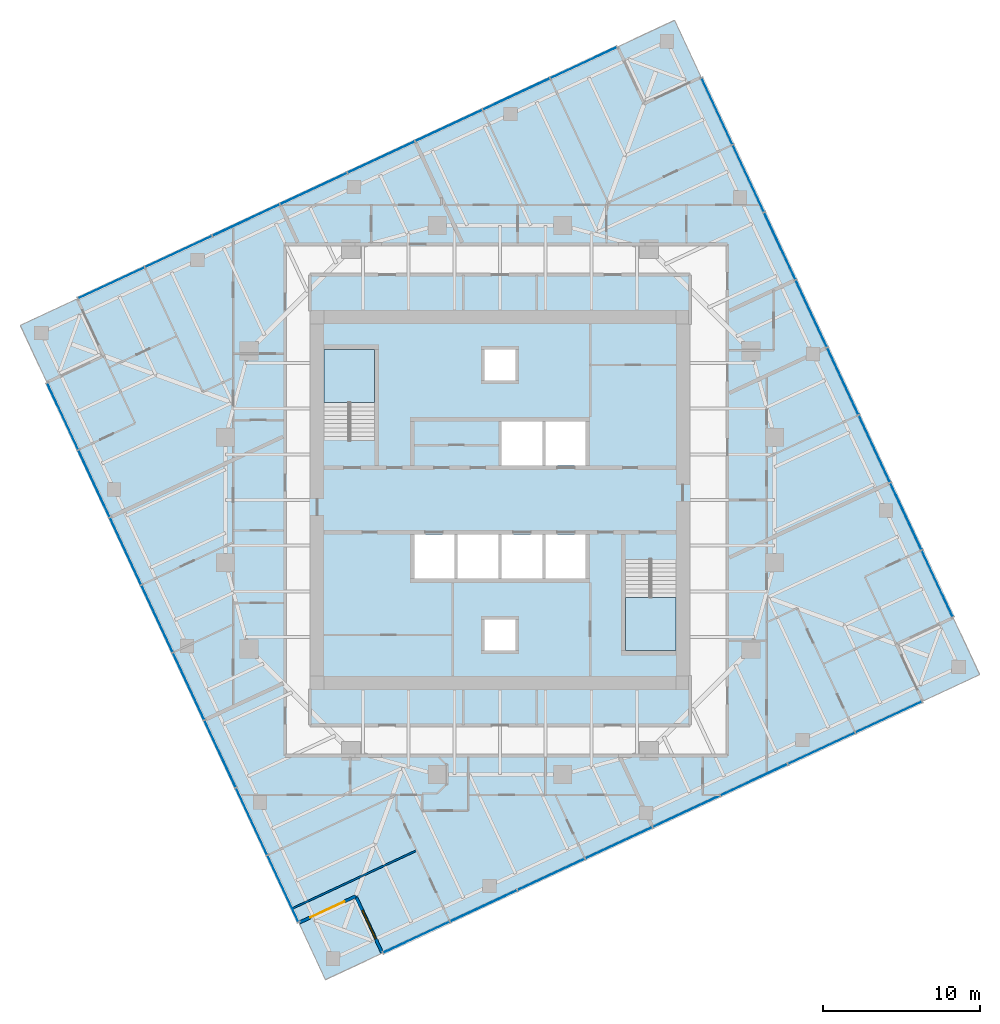
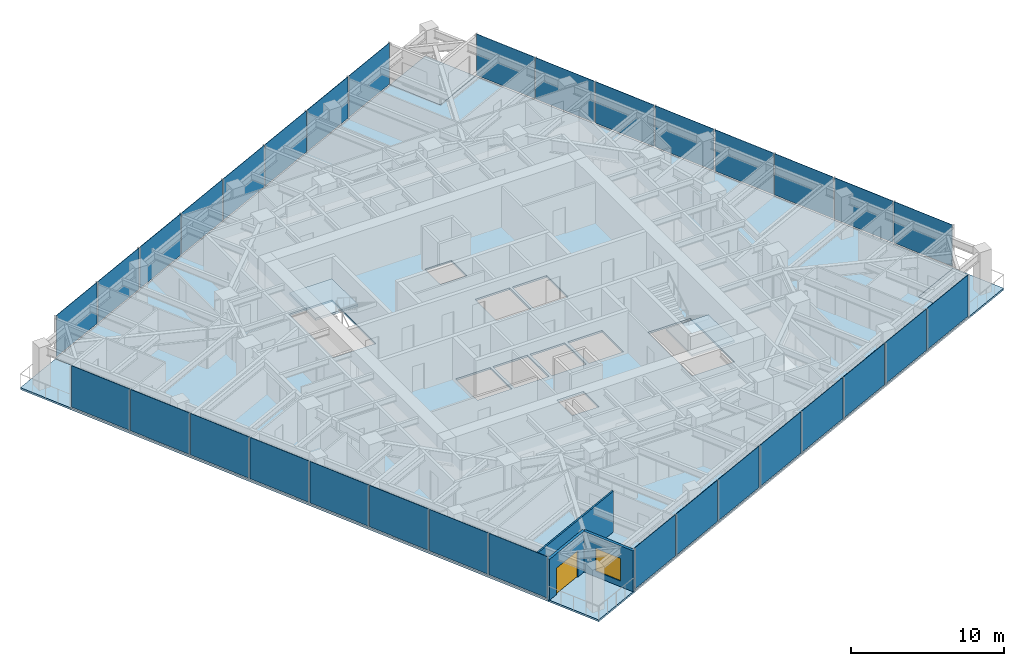
# One storey, part 6 of 13: 32 plates, 7 slabs, 3 walls, 1 door, 1 window, 2 openings, 6 elements without a shape of their own.
"""IFC4 building model written with IfcOpenShell, lengths in metres."""

from ifc_helpers import new_model, si_unit, direction, frame, frame_2d, origin, origin_2d, place, context, subcontext, project, spatial, polyline, rectangle, outline, extrude, material, layer, layer_set, type_object, element, fill, aggregate, save


model = new_model("IFC4")

# Units and contexts
model_context = context("Model", 3, precision=1e-05, world=origin(), true_north=direction((0.0, 1.0)))
body_context = subcontext(model_context, "Body", "Model", "MODEL_VIEW")
ifc_project = project(units=[si_unit("LENGTHUNIT", "METRE"), si_unit("AREAUNIT", "SQUARE_METRE"), si_unit("VOLUMEUNIT", "CUBIC_METRE"), si_unit("PLANEANGLEUNIT", "RADIAN"), si_unit("MASSUNIT", "GRAM", prefix="KILO")], contexts=[model_context])

# Site, building, storey
site_placement = place(None, origin())
site = spatial("IfcSite", under=ifc_project, at=site_placement, CompositionType="ELEMENT")
building_placement = place(site_placement, origin())
building = spatial("IfcBuilding", under=site, at=building_placement, Name="Torsade Residences", CompositionType="ELEMENT")
storey_placement = place(building_placement, frame((0.0, 0.0, 182.800048828125)))
storey = spatial("IfcBuildingStorey", under=building, at=storey_placement, Name="L50", CompositionType="ELEMENT", Elevation=182.800048828125)

# Slab
ifc_material_1 = material(Name="Concrete 40 MPa", Category="concrete")
ifc_layer_1 = layer(ifc_material_1, 0.14990234375)
ifc_layer_set_1 = layer_set([ifc_layer_1], Name="Concrete 40 MPa")
slab_type_1 = type_object("IfcSlabType", Name="COMPOSITE FLOOR SLAB 150", PredefinedType="FLOOR", material=ifc_layer_set_1)
slab_1_placement = place(storey_placement, frame((0.0, 0.0, -0.150146484375)))
element("IfcSlab", 1, at=slab_1_placement, inside=storey, type_object=slab_type_1, Name="Floor slab L50", PredefinedType="FLOOR", context=body_context, shape_type="SweptSolid", body=[
    extrude(outline(polyline([(32.50048828125, 1.125244140625), (66.940185546875, 17.1845703125), (65.24951171875, 20.809814453125), (68.874755859375, 22.50048828125), (52.8154296875, 56.940185546875), (49.190185546875, 55.24951171875), (47.49951171875, 58.874755859375), (13.059814453125, 42.8154296875), (14.75048828125, 39.190185546875), (11.125244140625, 37.49951171875), (27.1845703125, 3.059814453125), (30.809814453125, 4.75048828125), (32.50048828125, 1.125244140625)]), holes=[polyline([(51.199951171875, 26.1201171875), (48.0, 26.1201171875), (48.0, 20.39990234375), (51.199951171875, 20.39990234375), (51.199951171875, 26.1201171875)]), polyline([(45.5, 27.800048828125), (42.89990234375, 27.800048828125), (42.89990234375, 25.0), (45.5, 25.0), (45.5, 27.800048828125)]), polyline([(45.5, 35.0), (42.89990234375, 35.0), (42.89990234375, 32.199951171875), (45.5, 32.199951171875), (45.5, 35.0)]), polyline([(42.699951171875, 25.0), (42.699951171875, 27.800048828125), (40.10009765625, 27.800048828125), (40.10009765625, 25.0), (42.699951171875, 25.0)]), polyline([(42.699951171875, 35.0), (40.10009765625, 35.0), (40.10009765625, 32.199951171875), (42.699951171875, 32.199951171875), (42.699951171875, 35.0)]), polyline([(41.0, 22.39990234375), (39.0, 22.39990234375), (39.0, 20.39990234375), (41.0, 20.39990234375), (41.0, 22.39990234375)]), polyline([(41.0, 37.60009765625), (41.0, 39.60009765625), (39.0, 39.60009765625), (39.0, 37.60009765625), (41.0, 37.60009765625)]), polyline([(39.89990234375, 25.0), (39.89990234375, 27.800048828125), (37.300048828125, 27.800048828125), (37.300048828125, 25.0), (39.89990234375, 25.0)]), polyline([(37.10009765625, 27.800048828125), (34.5, 27.800048828125), (34.5, 25.0), (37.10009765625, 25.0), (37.10009765625, 27.800048828125)]), polyline([(32.0, 33.8798828125), (32.0, 39.60009765625), (28.800048828125, 39.60009765625), (28.800048828125, 33.8798828125), (32.0, 33.8798828125)])]), origin(), (0.0, 0.0, 1.0), 0.150146484375),
])

# Curtain wall, plates
ifc_material_2 = material(Name="Aluminium and glass", Category="aluminium")
curtain_wall_type = type_object("IfcCurtainWallType", Name="FRITTED GLASS CURTAIN WALL MID ZONE", PredefinedType="NOTDEFINED", material=ifc_material_2)
curtain_wall_1_placement = place(storey_placement, origin())
curtain_wall_1 = element("IfcCurtainWall", 2, at=curtain_wall_1_placement, inside=storey, type_object=curtain_wall_type, Name="Curtain wall L50 face 1", PredefinedType="NOTDEFINED")
ifc_material_3 = material(Name="Laminated glass", Category="glass")
ifc_layer_2 = layer(ifc_material_3, 0.031982421875)
ifc_layer_set_2 = layer_set([ifc_layer_2], Name="Laminated glass")
plate_type_1 = type_object("IfcPlateType", Name="FRITTED GLASS PANEL", PredefinedType="CURTAIN_PANEL", material=ifc_layer_set_2)
plate_1_placement = place(storey_placement, frame((34.6708984375, 2.137451171875, 0.10986328125), z_axis=(0.0, 0.0, 1.0), x_axis=(0.906307786926, 0.422618261978, 0.0)))
plate_1 = element("IfcPlate", 3, at=plate_1_placement, type_object=plate_type_1, Name="Panel 1", PredefinedType="CURTAIN_PANEL", context=body_context, shape_type="SweptSolid", body=[
    extrude(rectangle(XDim=4.6298828125, YDim=0.031982421875, at=origin_2d()), origin(), (0.0, 0.0, 1.0), 3.2900390625),
])
plate_2_placement = place(storey_placement, frame((43.2626953125, 6.143798828125, 0.10986328125), z_axis=(0.0, 0.0, 1.0), x_axis=(0.906307786926, 0.422618261978, 0.0)))
plate_2 = element("IfcPlate", 4, at=plate_2_placement, type_object=plate_type_1, Name="Panel 3", PredefinedType="CURTAIN_PANEL", context=body_context, shape_type="SweptSolid", body=[
    extrude(rectangle(XDim=4.669921875, YDim=0.031982421875, at=origin_2d()), origin(), (0.0, 0.0, 1.0), 3.2900390625),
])
plate_3_placement = place(storey_placement, frame((47.567626953125, 8.151123046875, 0.10986328125), z_axis=(0.0, 0.0, 1.0), x_axis=(0.906307786926, 0.422618261978, 0.0)))
plate_3 = element("IfcPlate", 5, at=plate_3_placement, type_object=plate_type_1, Name="Panel 4", PredefinedType="CURTAIN_PANEL", context=body_context, shape_type="SweptSolid", body=[
    extrude(rectangle(XDim=4.669921875, YDim=0.031982421875, at=origin_2d()), origin(), (0.0, 0.0, 1.0), 3.2900390625),
])
plate_4_placement = place(storey_placement, frame((51.872802734375, 10.15869140625, 0.10986328125), z_axis=(0.0, 0.0, 1.0), x_axis=(0.906307786926, 0.422618261978, 0.0)))
plate_4 = element("IfcPlate", 6, at=plate_4_placement, type_object=plate_type_1, Name="Panel 5", PredefinedType="CURTAIN_PANEL", context=body_context, shape_type="SweptSolid", body=[
    extrude(rectangle(XDim=4.669921875, YDim=0.031982421875, at=origin_2d()), origin(), (0.0, 0.0, 1.0), 3.2900390625),
])
plate_5_placement = place(storey_placement, frame((60.482666015625, 14.173583984375, 0.10986328125), z_axis=(0.0, 0.0, 1.0), x_axis=(0.906307786926, 0.422618261978, 0.0)))
plate_5 = element("IfcPlate", 7, at=plate_5_placement, type_object=plate_type_1, Name="Panel 7", PredefinedType="CURTAIN_PANEL", context=body_context, shape_type="SweptSolid", body=[
    extrude(rectangle(XDim=4.669921875, YDim=0.031982421875, at=origin_2d()), origin(), (0.0, 0.0, 1.0), 3.2900390625),
])
plate_6_placement = place(storey_placement, frame((64.76953125, 16.172607421875, 0.10986328125), z_axis=(0.0, 0.0, 1.0), x_axis=(0.906307786926, 0.422618261978, 0.0)))
plate_6 = element("IfcPlate", 8, at=plate_6_placement, type_object=plate_type_1, Name="Panel 8", PredefinedType="CURTAIN_PANEL", context=body_context, shape_type="SweptSolid", body=[
    extrude(rectangle(XDim=4.6298828125, YDim=0.031982421875, at=origin_2d()), origin(), (0.0, 0.0, 1.0), 3.2900390625),
])

curtain_wall_2_placement = place(storey_placement, origin())
curtain_wall_2 = element("IfcCurtainWall", 9, at=curtain_wall_2_placement, inside=storey, type_object=curtain_wall_type, Name="Curtain wall L50 face 4", PredefinedType="NOTDEFINED")
plate_7_placement = place(storey_placement, frame((67.862548828125, 24.6708984375, 0.10986328125), z_axis=(0.0, 0.0, 1.0), x_axis=(-0.422618261978, 0.906307786926, 0.0)))
plate_7 = element("IfcPlate", 10, at=plate_7_placement, type_object=plate_type_1, Name="Panel 1", PredefinedType="CURTAIN_PANEL", context=body_context, shape_type="SweptSolid", body=[
    extrude(rectangle(XDim=4.6298828125, YDim=0.031982421875, at=origin_2d()), origin(), (0.0, 0.0, 1.0), 3.2900390625),
])
plate_8_placement = place(storey_placement, frame((63.856201171875, 33.2626953125, 0.10986328125), z_axis=(0.0, 0.0, 1.0), x_axis=(-0.422618261978, 0.906307786926, 0.0)))
plate_8 = element("IfcPlate", 11, at=plate_8_placement, type_object=plate_type_1, Name="Panel 3", PredefinedType="CURTAIN_PANEL", context=body_context, shape_type="SweptSolid", body=[
    extrude(rectangle(XDim=4.669921875, YDim=0.031982421875, at=origin_2d()), origin(), (0.0, 0.0, 1.0), 3.2900390625),
])
plate_9_placement = place(storey_placement, frame((61.848876953125, 37.567626953125, 0.10986328125), z_axis=(0.0, 0.0, 1.0), x_axis=(-0.422618261978, 0.906307786926, 0.0)))
plate_9 = element("IfcPlate", 12, at=plate_9_placement, type_object=plate_type_1, Name="Panel 4", PredefinedType="CURTAIN_PANEL", context=body_context, shape_type="SweptSolid", body=[
    extrude(rectangle(XDim=4.669921875, YDim=0.031982421875, at=origin_2d()), origin(), (0.0, 0.0, 1.0), 3.2900390625),
])
plate_10_placement = place(storey_placement, frame((59.84130859375, 41.872802734375, 0.10986328125), z_axis=(0.0, 0.0, 1.0), x_axis=(-0.422618261978, 0.906307786926, 0.0)))
plate_10 = element("IfcPlate", 13, at=plate_10_placement, type_object=plate_type_1, Name="Panel 5", PredefinedType="CURTAIN_PANEL", context=body_context, shape_type="SweptSolid", body=[
    extrude(rectangle(XDim=4.669921875, YDim=0.031982421875, at=origin_2d()), origin(), (0.0, 0.0, 1.0), 3.2900390625),
])
plate_11_placement = place(storey_placement, frame((55.826416015625, 50.482666015625, 0.10986328125), z_axis=(0.0, 0.0, 1.0), x_axis=(-0.422618261978, 0.906307786926, 0.0)))
plate_11 = element("IfcPlate", 14, at=plate_11_placement, type_object=plate_type_1, Name="Panel 7", PredefinedType="CURTAIN_PANEL", context=body_context, shape_type="SweptSolid", body=[
    extrude(rectangle(XDim=4.669921875, YDim=0.031982421875, at=origin_2d()), origin(), (0.0, 0.0, 1.0), 3.2900390625),
])
plate_12_placement = place(storey_placement, frame((53.827392578125, 54.76953125, 0.10986328125), z_axis=(0.0, 0.0, 1.0), x_axis=(-0.422618261978, 0.906307786926, 0.0)))
plate_12 = element("IfcPlate", 15, at=plate_12_placement, type_object=plate_type_1, Name="Panel 8", PredefinedType="CURTAIN_PANEL", context=body_context, shape_type="SweptSolid", body=[
    extrude(rectangle(XDim=4.6298828125, YDim=0.031982421875, at=origin_2d()), origin(), (0.0, 0.0, 1.0), 3.2900390625),
])

curtain_wall_3_placement = place(storey_placement, origin())
curtain_wall_3 = element("IfcCurtainWall", 16, at=curtain_wall_3_placement, inside=storey, type_object=curtain_wall_type, Name="Curtain wall L50 face 7", PredefinedType="NOTDEFINED")
plate_13_placement = place(storey_placement, frame((45.3291015625, 57.862548828125, 0.10986328125), z_axis=(0.0, 0.0, 1.0), x_axis=(-0.906307786926, -0.422618261978, 0.0)))
plate_13 = element("IfcPlate", 17, at=plate_13_placement, type_object=plate_type_1, Name="Panel 1", PredefinedType="CURTAIN_PANEL", context=body_context, shape_type="SweptSolid", body=[
    extrude(rectangle(XDim=4.6298828125, YDim=0.031982421875, at=origin_2d()), origin(), (0.0, 0.0, 1.0), 3.2900390625),
])
plate_14_placement = place(storey_placement, frame((36.7373046875, 53.856201171875, 0.10986328125), z_axis=(0.0, 0.0, 1.0), x_axis=(-0.906307786926, -0.422618261978, 0.0)))
plate_14 = element("IfcPlate", 18, at=plate_14_placement, type_object=plate_type_1, Name="Panel 3", PredefinedType="CURTAIN_PANEL", context=body_context, shape_type="SweptSolid", body=[
    extrude(rectangle(XDim=4.669921875, YDim=0.031982421875, at=origin_2d()), origin(), (0.0, 0.0, 1.0), 3.2900390625),
])
plate_15_placement = place(storey_placement, frame((32.432373046875, 51.848876953125, 0.10986328125), z_axis=(0.0, 0.0, 1.0), x_axis=(-0.906307786926, -0.422618261978, 0.0)))
plate_15 = element("IfcPlate", 19, at=plate_15_placement, type_object=plate_type_1, Name="Panel 4", PredefinedType="CURTAIN_PANEL", context=body_context, shape_type="SweptSolid", body=[
    extrude(rectangle(XDim=4.669921875, YDim=0.031982421875, at=origin_2d()), origin(), (0.0, 0.0, 1.0), 3.2900390625),
])
plate_16_placement = place(storey_placement, frame((28.127197265625, 49.84130859375, 0.10986328125), z_axis=(0.0, 0.0, 1.0), x_axis=(-0.906307786926, -0.422618261978, 0.0)))
plate_16 = element("IfcPlate", 20, at=plate_16_placement, type_object=plate_type_1, Name="Panel 5", PredefinedType="CURTAIN_PANEL", context=body_context, shape_type="SweptSolid", body=[
    extrude(rectangle(XDim=4.669921875, YDim=0.031982421875, at=origin_2d()), origin(), (0.0, 0.0, 1.0), 3.2900390625),
])
plate_17_placement = place(storey_placement, frame((19.517333984375, 45.826416015625, 0.10986328125), z_axis=(0.0, 0.0, 1.0), x_axis=(-0.906307786926, -0.422618261978, 0.0)))
plate_17 = element("IfcPlate", 21, at=plate_17_placement, type_object=plate_type_1, Name="Panel 7", PredefinedType="CURTAIN_PANEL", context=body_context, shape_type="SweptSolid", body=[
    extrude(rectangle(XDim=4.669921875, YDim=0.031982421875, at=origin_2d()), origin(), (0.0, 0.0, 1.0), 3.2900390625),
])
plate_18_placement = place(storey_placement, frame((15.23046875, 43.827392578125, 0.10986328125), z_axis=(0.0, 0.0, 1.0), x_axis=(-0.906307786926, -0.422618261978, 0.0)))
plate_18 = element("IfcPlate", 22, at=plate_18_placement, type_object=plate_type_1, Name="Panel 8", PredefinedType="CURTAIN_PANEL", context=body_context, shape_type="SweptSolid", body=[
    extrude(rectangle(XDim=4.6298828125, YDim=0.031982421875, at=origin_2d()), origin(), (0.0, 0.0, 1.0), 3.2900390625),
])

curtain_wall_4_placement = place(storey_placement, origin())
curtain_wall_4 = element("IfcCurtainWall", 23, at=curtain_wall_4_placement, inside=storey, type_object=curtain_wall_type, Name="Curtain wall L50 face 10", PredefinedType="NOTDEFINED")
plate_19_placement = place(storey_placement, frame((12.137451171875, 35.3291015625, 0.10986328125), z_axis=(0.0, 0.0, 1.0), x_axis=(0.422618261978, -0.906307786926, 0.0)))
plate_19 = element("IfcPlate", 24, at=plate_19_placement, type_object=plate_type_1, Name="Panel 1", PredefinedType="CURTAIN_PANEL", context=body_context, shape_type="SweptSolid", body=[
    extrude(rectangle(XDim=4.6298828125, YDim=0.031982421875, at=origin_2d()), origin(), (0.0, 0.0, 1.0), 3.2900390625),
])
plate_20_placement = place(storey_placement, frame((16.143798828125, 26.7373046875, 0.10986328125), z_axis=(0.0, 0.0, 1.0), x_axis=(0.422618261978, -0.906307786926, 0.0)))
plate_20 = element("IfcPlate", 25, at=plate_20_placement, type_object=plate_type_1, Name="Panel 3", PredefinedType="CURTAIN_PANEL", context=body_context, shape_type="SweptSolid", body=[
    extrude(rectangle(XDim=4.669921875, YDim=0.031982421875, at=origin_2d()), origin(), (0.0, 0.0, 1.0), 3.2900390625),
])
plate_21_placement = place(storey_placement, frame((18.151123046875, 22.432373046875, 0.10986328125), z_axis=(0.0, 0.0, 1.0), x_axis=(0.422618261978, -0.906307786926, 0.0)))
plate_21 = element("IfcPlate", 26, at=plate_21_placement, type_object=plate_type_1, Name="Panel 4", PredefinedType="CURTAIN_PANEL", context=body_context, shape_type="SweptSolid", body=[
    extrude(rectangle(XDim=4.669921875, YDim=0.031982421875, at=origin_2d()), origin(), (0.0, 0.0, 1.0), 3.2900390625),
])
plate_22_placement = place(storey_placement, frame((20.15869140625, 18.127197265625, 0.10986328125), z_axis=(0.0, 0.0, 1.0), x_axis=(0.422618261978, -0.906307786926, 0.0)))
plate_22 = element("IfcPlate", 27, at=plate_22_placement, type_object=plate_type_1, Name="Panel 5", PredefinedType="CURTAIN_PANEL", context=body_context, shape_type="SweptSolid", body=[
    extrude(rectangle(XDim=4.669921875, YDim=0.031982421875, at=origin_2d()), origin(), (0.0, 0.0, 1.0), 3.2900390625),
])
plate_23_placement = place(storey_placement, frame((24.173583984375, 9.517333984375, 0.10986328125), z_axis=(0.0, 0.0, 1.0), x_axis=(0.422618261978, -0.906307786926, 0.0)))
plate_23 = element("IfcPlate", 28, at=plate_23_placement, type_object=plate_type_1, Name="Panel 7", PredefinedType="CURTAIN_PANEL", context=body_context, shape_type="SweptSolid", body=[
    extrude(rectangle(XDim=4.669921875, YDim=0.031982421875, at=origin_2d()), origin(), (0.0, 0.0, 1.0), 3.2900390625),
])
plate_24_placement = place(storey_placement, frame((26.172607421875, 5.23046875, 0.10986328125), z_axis=(0.0, 0.0, 1.0), x_axis=(0.422618261978, -0.906307786926, 0.0)))
plate_24 = element("IfcPlate", 29, at=plate_24_placement, type_object=plate_type_1, Name="Panel 8", PredefinedType="CURTAIN_PANEL", context=body_context, shape_type="SweptSolid", body=[
    extrude(rectangle(XDim=4.6298828125, YDim=0.031982421875, at=origin_2d()), origin(), (0.0, 0.0, 1.0), 3.2900390625),
])

# Plate
ifc_material_4 = material(Name="Laminated glass", Category="glass")
ifc_layer_3 = layer(ifc_material_4, 0.0400390625)
ifc_layer_set_3 = layer_set([ifc_layer_3], Name="Laminated glass")
plate_type_2 = type_object("IfcPlateType", Name="OPERABLE VENT PANEL", PredefinedType="CURTAIN_PANEL", material=ifc_layer_set_3)
plate_25_placement = place(storey_placement, frame((38.957763671875, 4.13623046875, 0.10986328125), z_axis=(0.0, 0.0, 1.0), x_axis=(0.906307786926, 0.422618261978, 0.0)))
plate_25 = element("IfcPlate", 30, at=plate_25_placement, type_object=plate_type_2, Name="Panel 2", PredefinedType="CURTAIN_PANEL", context=body_context, shape_type="SweptSolid", body=[
    extrude(rectangle(XDim=4.669921875, YDim=0.0400390625, at=origin_2d()), origin(), (0.0, 0.0, 1.0), 3.2900390625),
])

plate_26_placement = place(storey_placement, frame((56.177734375, 12.166015625, 0.10986328125), z_axis=(0.0, 0.0, 1.0), x_axis=(0.906307786926, 0.422618261978, 0.0)))
plate_26 = element("IfcPlate", 31, at=plate_26_placement, type_object=plate_type_2, Name="Panel 6", PredefinedType="CURTAIN_PANEL", context=body_context, shape_type="SweptSolid", body=[
    extrude(rectangle(XDim=4.669921875, YDim=0.0400390625, at=origin_2d()), origin(), (0.0, 0.0, 1.0), 3.2900390625),
])

aggregate(curtain_wall_1, [plate_1, plate_25, plate_2, plate_3, plate_4, plate_26, plate_5, plate_6])

plate_27_placement = place(storey_placement, frame((65.86376953125, 28.957763671875, 0.10986328125), z_axis=(0.0, 0.0, 1.0), x_axis=(-0.422618261978, 0.906307786926, 0.0)))
plate_27 = element("IfcPlate", 32, at=plate_27_placement, type_object=plate_type_2, Name="Panel 2", PredefinedType="CURTAIN_PANEL", context=body_context, shape_type="SweptSolid", body=[
    extrude(rectangle(XDim=4.669921875, YDim=0.0400390625, at=origin_2d()), origin(), (0.0, 0.0, 1.0), 3.2900390625),
])

plate_28_placement = place(storey_placement, frame((57.833984375, 46.177734375, 0.10986328125), z_axis=(0.0, 0.0, 1.0), x_axis=(-0.422618261978, 0.906307786926, 0.0)))
plate_28 = element("IfcPlate", 33, at=plate_28_placement, type_object=plate_type_2, Name="Panel 6", PredefinedType="CURTAIN_PANEL", context=body_context, shape_type="SweptSolid", body=[
    extrude(rectangle(XDim=4.669921875, YDim=0.0400390625, at=origin_2d()), origin(), (0.0, 0.0, 1.0), 3.2900390625),
])

aggregate(curtain_wall_2, [plate_7, plate_27, plate_8, plate_9, plate_10, plate_28, plate_11, plate_12])

plate_29_placement = place(storey_placement, frame((41.042236328125, 55.86376953125, 0.10986328125), z_axis=(0.0, 0.0, 1.0), x_axis=(-0.906307786926, -0.422618261978, 0.0)))
plate_29 = element("IfcPlate", 34, at=plate_29_placement, type_object=plate_type_2, Name="Panel 2", PredefinedType="CURTAIN_PANEL", context=body_context, shape_type="SweptSolid", body=[
    extrude(rectangle(XDim=4.669921875, YDim=0.0400390625, at=origin_2d()), origin(), (0.0, 0.0, 1.0), 3.2900390625),
])

plate_30_placement = place(storey_placement, frame((23.822265625, 47.833984375, 0.10986328125), z_axis=(0.0, 0.0, 1.0), x_axis=(-0.906307786926, -0.422618261978, 0.0)))
plate_30 = element("IfcPlate", 35, at=plate_30_placement, type_object=plate_type_2, Name="Panel 6", PredefinedType="CURTAIN_PANEL", context=body_context, shape_type="SweptSolid", body=[
    extrude(rectangle(XDim=4.669921875, YDim=0.0400390625, at=origin_2d()), origin(), (0.0, 0.0, 1.0), 3.2900390625),
])

aggregate(curtain_wall_3, [plate_13, plate_29, plate_14, plate_15, plate_16, plate_30, plate_17, plate_18])

plate_31_placement = place(storey_placement, frame((14.13623046875, 31.042236328125, 0.10986328125), z_axis=(0.0, 0.0, 1.0), x_axis=(0.422618261978, -0.906307786926, 0.0)))
plate_31 = element("IfcPlate", 36, at=plate_31_placement, type_object=plate_type_2, Name="Panel 2", PredefinedType="CURTAIN_PANEL", context=body_context, shape_type="SweptSolid", body=[
    extrude(rectangle(XDim=4.669921875, YDim=0.0400390625, at=origin_2d()), origin(), (0.0, 0.0, 1.0), 3.2900390625),
])

plate_32_placement = place(storey_placement, frame((22.166015625, 13.822265625, 0.10986328125), z_axis=(0.0, 0.0, 1.0), x_axis=(0.422618261978, -0.906307786926, 0.0)))
plate_32 = element("IfcPlate", 37, at=plate_32_placement, type_object=plate_type_2, Name="Panel 6", PredefinedType="CURTAIN_PANEL", context=body_context, shape_type="SweptSolid", body=[
    extrude(rectangle(XDim=4.669921875, YDim=0.0400390625, at=origin_2d()), origin(), (0.0, 0.0, 1.0), 3.2900390625),
])

aggregate(curtain_wall_4, [plate_19, plate_31, plate_20, plate_21, plate_22, plate_32, plate_23, plate_24])

# Stair, slab
ifc_material_5 = material(Name="Precast concrete 40 MPa", Category="concrete")
stair_type = type_object("IfcStairType", Name="HALF-TURN FIRE STAIR 1500x3400", PredefinedType="HALF_TURN_STAIR", material=ifc_material_5)
stair_1_placement = place(storey_placement, origin())
stair_1 = element("IfcStair", 38, at=stair_1_placement, inside=storey, type_object=stair_type, Name="Stair ST1 L50", PredefinedType="HALF_TURN_STAIR")
ifc_material_6 = material(Name="Precast concrete 40 MPa", Category="concrete")
ifc_layer_4 = layer(ifc_material_6, 0.179931640625)
ifc_layer_set_4 = layer_set([ifc_layer_4], Name="Precast concrete 40 MPa")
slab_type_2 = type_object("IfcSlabType", Name="PRECAST STAIR LANDING 180", PredefinedType="LANDING", material=ifc_layer_set_4)
slab_2_placement = place(storey_placement, frame((0.0, 0.0, 1.52001953125)))
slab_2 = element("IfcSlab", 39, at=slab_2_placement, type_object=slab_type_2, Name="ST1 landing 1", PredefinedType="LANDING", context=body_context, shape_type="SweptSolid", body=[
    extrude(outline(polyline([(28.800048828125, 36.2099609375), (32.0, 36.2099609375), (32.0, 39.60009765625), (28.800048828125, 39.60009765625), (28.800048828125, 36.2099609375)])), origin(), (0.0, 0.0, 1.0), 0.179931640625),
])
aggregate(stair_1, [slab_2])

stair_2_placement = place(storey_placement, origin())
stair_2 = element("IfcStair", 40, at=stair_2_placement, inside=storey, type_object=stair_type, Name="Stair ST2 L50", PredefinedType="HALF_TURN_STAIR")
slab_3_placement = place(storey_placement, frame((0.0, 0.0, 1.52001953125)))
slab_3 = element("IfcSlab", 41, at=slab_3_placement, type_object=slab_type_2, Name="ST2 landing 1", PredefinedType="LANDING", context=body_context, shape_type="SweptSolid", body=[
    extrude(outline(polyline([(48.0, 20.39990234375), (51.199951171875, 20.39990234375), (51.199951171875, 23.7900390625), (48.0, 23.7900390625), (48.0, 20.39990234375)])), origin(), (0.0, 0.0, 1.0), 0.179931640625),
])
aggregate(stair_2, [slab_3])

# Slabs
ifc_material_7 = material(Name="Concrete 40 MPa", Category="concrete")
ifc_layer_5 = layer(ifc_material_7, 0.14990234375)
ifc_layer_set_5 = layer_set([ifc_layer_5], Name="Concrete 40 MPa")
slab_type_3 = type_object("IfcSlabType", Name="TERRACE SLAB 150", PredefinedType="FLOOR", material=ifc_layer_set_5)
slab_4_placement = place(storey_placement, frame((0.0, 0.0, -0.150146484375)))
element("IfcSlab", 42, at=slab_4_placement, inside=storey, type_object=slab_type_3, Name="Corner terrace slab SE L50", PredefinedType="FLOOR", context=body_context, shape_type="SweptSolid", body=[
    extrude(outline(polyline([(66.940185546875, 17.1845703125), (70.565185546875, 18.875244140625), (68.874755859375, 22.50048828125), (65.24951171875, 20.809814453125), (66.940185546875, 17.1845703125)])), origin(), (0.0, 0.0, 1.0), 0.150146484375),
])
slab_5_placement = place(storey_placement, frame((0.0, 0.0, -0.150146484375)))
element("IfcSlab", 43, at=slab_5_placement, inside=storey, type_object=slab_type_3, Name="Corner terrace slab NE L50", PredefinedType="FLOOR", context=body_context, shape_type="SweptSolid", body=[
    extrude(outline(polyline([(49.190185546875, 55.24951171875), (52.8154296875, 56.940185546875), (51.124755859375, 60.565185546875), (47.49951171875, 58.874755859375), (49.190185546875, 55.24951171875)])), origin(), (0.0, 0.0, 1.0), 0.150146484375),
])
slab_6_placement = place(storey_placement, frame((0.0, 0.0, -0.150146484375)))
element("IfcSlab", 44, at=slab_6_placement, inside=storey, type_object=slab_type_3, Name="Corner terrace slab NW L50", PredefinedType="FLOOR", context=body_context, shape_type="SweptSolid", body=[
    extrude(outline(polyline([(11.125244140625, 37.49951171875), (14.75048828125, 39.190185546875), (13.059814453125, 42.8154296875), (9.434814453125, 41.124755859375), (11.125244140625, 37.49951171875)])), origin(), (0.0, 0.0, 1.0), 0.150146484375),
])
slab_7_placement = place(storey_placement, frame((0.0, 0.0, -0.150146484375)))
element("IfcSlab", 45, at=slab_7_placement, inside=storey, type_object=slab_type_3, Name="Corner terrace slab SW L50", PredefinedType="FLOOR", context=body_context, shape_type="SweptSolid", body=[
    extrude(outline(polyline([(28.875244140625, -0.565185546875), (32.50048828125, 1.125244140625), (30.809814453125, 4.75048828125), (27.1845703125, 3.059814453125), (28.875244140625, -0.565185546875)])), origin(), (0.0, 0.0, 1.0), 0.150146484375),
])

# Wall
ifc_material_8 = material(Name="Plasterboard on steel stud", Category="steel")
ifc_layer_6 = layer(ifc_material_8, 0.1201171875)
ifc_layer_set_6 = layer_set([ifc_layer_6], Name="Plasterboard on steel stud")
wall_type_1 = type_object("IfcWallType", Name="PARTITION 120", PredefinedType="PARTITIONING", material=ifc_layer_set_6)
wall_1_placement = place(storey_placement, frame((34.691162109375, 7.66650390625, 0.0), z_axis=(0.0, 0.0, 1.0), x_axis=(-0.906303404798, -0.422627659354, 0.0)))
element("IfcWall", 46, at=wall_1_placement, inside=storey, type_object=wall_type_1, Name="Partition L50", PredefinedType="PARTITIONING", context=body_context, shape_type="SweptSolid", body=[
    extrude(rectangle(XDim=8.710205078125, YDim=0.1201171875, at=frame_2d((4.35498046875, 0.0))), origin(), (0.0, 0.0, 1.0), 3.25),
])

# Wall, opening, door
ifc_material_9 = material(Name="Stone-faced precast concrete 40 MPa panel", Category="masonry")
ifc_layer_7 = layer(ifc_material_9, 0.199951171875)
ifc_layer_set_7 = layer_set([ifc_layer_7], Name="Stone-faced precast concrete 40 MPa panel")
wall_type_2 = type_object("IfcWallType", Name="TERRACE WALL 200", PredefinedType="SOLIDWALL", material=ifc_layer_set_7)
wall_2_placement = place(storey_placement, frame((27.1845703125, 3.059814453125, 0.0), z_axis=(0.0, 0.0, 1.0), x_axis=(0.906289140828, 0.422658246362, 0.0)))
wall_2 = element("IfcWall", 47, at=wall_2_placement, inside=storey, type_object=wall_type_2, Name="Terrace wall L50 11", PredefinedType="SOLIDWALL", context=body_context, shape_type="SweptSolid", body=[
    extrude(rectangle(XDim=4.0, YDim=0.199951171875, at=frame_2d((2.0, 0.0))), origin(), (0.0, 0.0, 1.0), 3.25),
])
opening_1_placement = place(wall_2_placement, frame((0.800048828125, 0.0, 0.0)))
opening_1 = element("IfcOpeningElement", 48, at=opening_1_placement, cuts=wall_2, Name="Opening D10A", PredefinedType="OPENING", context=body_context, shape_type="SweptSolid", body=[
    extrude(rectangle(XDim=2.39990234375, YDim=2.10009765625, at=frame_2d((1.199951171875, 1.050048828125))), frame((0.0, 0.10986328125, 0.0), z_axis=(0.0, -1.0, 0.0), x_axis=(1.0, 0.0, 0.0)), (0.0, 0.0, 1.0), 0.219970703125),
])
ifc_material_10 = material(Name="Aluminium-framed glass door", Category="aluminium")
door_type = type_object("IfcDoorType", Name="TERRACE SLIDING DOOR 2400x2100", OperationType="SLIDING_TO_LEFT", PredefinedType="DOOR", material=ifc_material_10)
door_placement = place(opening_1_placement, origin())
door = element("IfcDoor", 49, at=door_placement, inside=storey, type_object=door_type, Name="Terrace door L50 11", OperationType="SLIDING_TO_LEFT", OverallHeight=2.10009765625, OverallWidth=2.39990234375, PredefinedType="DOOR", context=body_context, shape_type="SweptSolid", body=[
    extrude(rectangle(XDim=2.39990234375, YDim=2.10009765625, at=frame_2d((1.199951171875, 1.050048828125))), frame((0.0, 0.02490234375, 0.0), z_axis=(0.0, -1.0, 0.0), x_axis=(1.0, 0.0, 0.0)), (0.0, 0.0, 1.0), 0.050048828125),
])
fill(opening_1, door)

# Wall, opening, window
wall_3_placement = place(storey_placement, frame((30.809814453125, 4.75048828125, 0.0), z_axis=(0.0, 0.0, 1.0), x_axis=(0.422658246362, -0.906289140828, 0.0)))
wall_3 = element("IfcWall", 50, at=wall_3_placement, inside=storey, type_object=wall_type_2, Name="Terrace wall L50 12", PredefinedType="SOLIDWALL", context=body_context, shape_type="SweptSolid", body=[
    extrude(rectangle(XDim=4.0, YDim=0.199951171875, at=frame_2d((2.0, 0.0))), origin(), (0.0, 0.0, 1.0), 3.25),
])
opening_2_placement = place(wall_3_placement, frame((1.0, 0.0, 0.449951171875)))
opening_2 = element("IfcOpeningElement", 51, at=opening_2_placement, cuts=wall_3, Name="Opening W1B", PredefinedType="OPENING", context=body_context, shape_type="SweptSolid", body=[
    extrude(rectangle(XDim=2.0, YDim=1.800048828125, at=frame_2d((1.0, 0.89990234375))), frame((0.0, 0.10986328125, 0.0), z_axis=(0.0, -1.0, 0.0), x_axis=(1.0, 0.0, 0.0)), (0.0, 0.0, 1.0), 0.219970703125),
])
ifc_material_11 = material(Name="Aluminium-framed glass window", Category="aluminium")
window_type = type_object("IfcWindowType", Name="TERRACE WINDOW 2000x1800", PartitioningType="SINGLE_PANEL", PredefinedType="WINDOW", material=ifc_material_11)
window_placement = place(opening_2_placement, origin())
window = element("IfcWindow", 52, at=window_placement, inside=storey, type_object=window_type, Name="Terrace window L50 12", OverallHeight=1.800048828125, OverallWidth=2.0, PartitioningType="SINGLE_PANEL", PredefinedType="WINDOW", context=body_context, shape_type="SweptSolid", body=[
    extrude(rectangle(XDim=2.0, YDim=1.800048828125, at=frame_2d((1.0, 0.89990234375))), frame((0.0, 0.030029296875, 0.0), z_axis=(0.0, -1.0, 0.0), x_axis=(1.0, 0.0, 0.0)), (0.0, 0.0, 1.0), 0.06005859375),
])
fill(opening_2, window)

save(model, "model.ifc")
